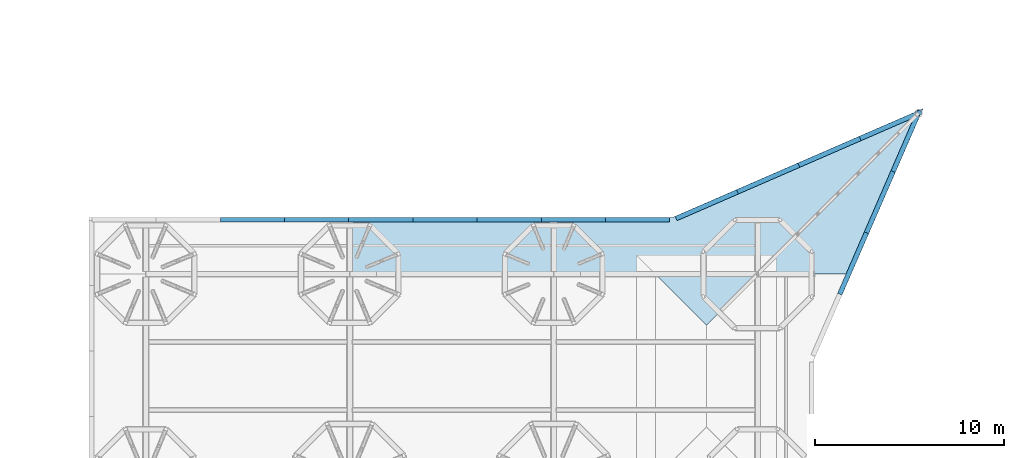
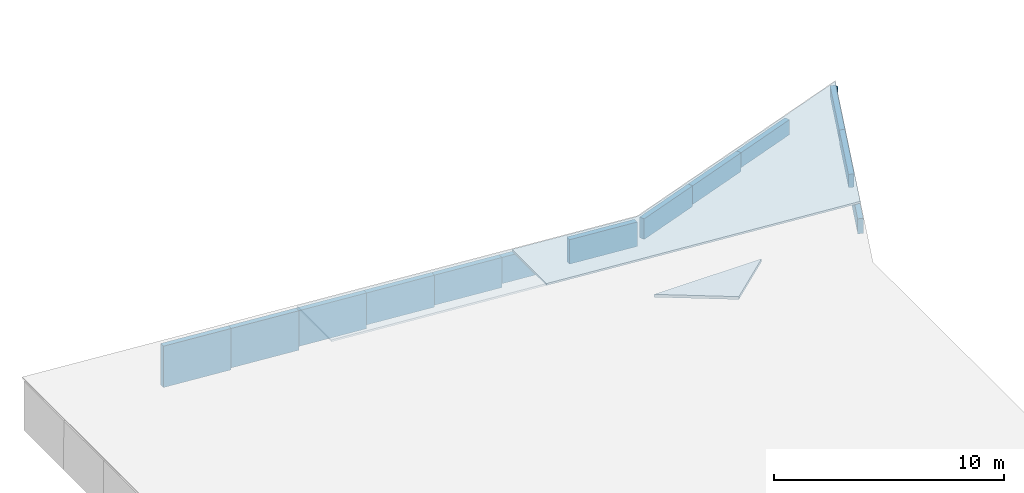
# One storey, part 55 of 95: 14 plates, 3 slabs.
"""IFC4 building model written with IfcOpenShell, lengths in metres."""

from ifc_helpers import new_model, si_unit, direction, frame, origin, place, context, subcontext, project, spatial, polyline, outline, extrude, material, layer, layer_set, type_object, element, save


model = new_model("IFC4")

# Units and contexts
model_context = context("Model", 3, precision=1e-05, world=origin(), true_north=direction((0.0, 1.0)))
body_context = subcontext(model_context, "Body", "Model", "MODEL_VIEW")
ifc_project = project(units=[si_unit("LENGTHUNIT", "METRE"), si_unit("AREAUNIT", "SQUARE_METRE"), si_unit("VOLUMEUNIT", "CUBIC_METRE"), si_unit("PLANEANGLEUNIT", "RADIAN"), si_unit("MASSUNIT", "GRAM", prefix="KILO")], contexts=[model_context])

# Site, building, storey
site_placement = place(None, origin())
site = spatial("IfcSite", under=ifc_project, at=site_placement, CompositionType="ELEMENT")
building_placement = place(site_placement, origin())
building = spatial("IfcBuilding", under=site, at=building_placement, Name="Magnolia Steps Interchange", CompositionType="ELEMENT")
storey_placement = place(building_placement, frame((0.0, 0.0, 4.800048828125)))
storey = spatial("IfcBuildingStorey", under=building, at=storey_placement, Name="L01", CompositionType="ELEMENT", Elevation=4.800048828125)

# Slabs
ifc_material_1 = material(Name="Concrete C30", Category="concrete")
ifc_layer_1 = layer(ifc_material_1, 0.10009765625)
ifc_layer_set_1 = layer_set([ifc_layer_1], Name="Composite roof deck 100")
slab_type_1 = type_object("IfcSlabType", Name="Composite roof deck 100", PredefinedType="ROOF", material=ifc_layer_set_1)
slab_1_placement = place(storey_placement, frame((161.199951171875, 77.800048828125, 3.3935546875), z_axis=(0.072709810174, 0.0, 0.997353138815), x_axis=(0.0, -1.0, 0.0)))
element("IfcSlab", 1, at=slab_1_placement, inside=storey, type_object=slab_type_1, Name="Composite roof deck panel", PredefinedType="ROOF", context=body_context, shape_type="SweptSolid", body=[
    extrude(outline(polyline([(0.0, 0.0), (3.0, 0.0), (3.0, 10.828710923), (0.0, 10.828710923), (0.0, 0.0)])), origin(), (0.0, 0.072709810174, -0.997353138815), 0.100341796875),
])
slab_2_placement = place(storey_placement, frame((172.0, 77.800048828125, 2.606201171875), z_axis=(0.072724587426, 1.7762056e-05, 0.997352061244), x_axis=(1.291738e-06, -0.999999999842, 1.7715023e-05)))
element("IfcSlab", 2, at=slab_2_placement, inside=storey, type_object=slab_type_1, Name="Composite roof deck panel", PredefinedType="ROOF", context=body_context, shape_type="SweptSolid", body=[
    extrude(outline(polyline([(0.0, 0.0), (3.0, 0.0), (2.999999999, 15.798180969), (-5.768066408, 19.620078195), (-2e-09, 6.316781645), (0.0, 0.0)])), origin(), (-1.7715023e-05, 0.072724587438, -0.997352061244), 0.100341796875),
])

# Plates
ifc_material_2 = material(Name="White painted steel", Category="steel")
ifc_layer_2 = layer(ifc_material_2, 0.25)
ifc_layer_set_2 = layer_set([ifc_layer_2], Name="Fascia plate 250")
plate_type = type_object("IfcPlateType", Name="Fascia plate 250", PredefinedType="SHEET", material=ifc_layer_set_2)
plate_1_placement = place(storey_placement, frame((187.27197265625, 73.685791015625, 0.59228515625), z_axis=(0.917116864568, -0.398609930599, 0.002603834211), x_axis=(0.398512189404, 0.916702053945, -0.029075405243)))
element("IfcPlate", 3, at=plate_1_placement, inside=storey, type_object=plate_type, Name="Sloping fascia plate", PredefinedType="SHEET", context=body_context, shape_type="SweptSolid", body=[
    extrude(outline(polyline([(0.0, 0.0), (3.543453406, 0.0), (3.520084731, 0.799710187), (-0.023368675, 0.799710187), (0.0, 0.0)])), origin(), (0.0, 0.0, -1.0), 0.25),
])
plate_2_placement = place(storey_placement, frame((188.68408203125, 76.93408203125, 0.58935546875), z_axis=(0.917120229189, -0.398599582859, 0.00297619832), x_axis=(0.398512189404, 0.916702053945, -0.029075405243)))
element("IfcPlate", 4, at=plate_2_placement, inside=storey, type_object=plate_type, Name="Sloping fascia plate", PredefinedType="SHEET", context=body_context, shape_type="SweptSolid", body=[
    extrude(outline(polyline([(0.0, 0.0), (3.543453406, 0.0), (3.522995111, 0.699655238), (-0.020458295, 0.699655238), (0.0, 0.0)])), origin(), (0.0, 0.0, -1.0), 0.25),
])
plate_3_placement = place(storey_placement, frame((190.09619140625, 80.182373046875, 0.58642578125), z_axis=(0.917105550919, -0.398630241767, 0.003367316841), x_axis=(0.398553742571, 0.91668393233, -0.029077181605)))
element("IfcPlate", 5, at=plate_3_placement, inside=storey, type_object=plate_type, Name="Sloping fascia plate", PredefinedType="SHEET", context=body_context, shape_type="SweptSolid", body=[
    extrude(outline(polyline([(0.0, 0.0), (3.543229603, 0.0), (3.52600163, 0.599609296), (-0.017549076, 0.599600381), (0.0, 0.0)])), origin(), (0.0, 0.0, -1.0), 0.25),
])
plate_4_placement = place(storey_placement, frame((191.430419921875, 83.50830078125, 0.38916015625), z_axis=(-0.398543717065, 0.917144796609, 0.002885765254), x_axis=(-0.91502849289, -0.397833999145, 0.066715562836)))
element("IfcPlate", 6, at=plate_4_placement, inside=storey, type_object=plate_type, Name="Sloping fascia plate", PredefinedType="SHEET", context=body_context, shape_type="SweptSolid", body=[
    extrude(outline(polyline([(0.0, 0.0), (3.549639897, 0.0), (3.596444366, 0.698387666), (0.046483946, 0.698408731), (0.0, 0.0)])), origin(), (0.0, 0.0, -1.0), 0.25),
])
plate_5_placement = place(storey_placement, frame((188.182373046875, 82.09619140625, 0.52587890625), z_axis=(-0.398519725677, 0.917156065359, 0.00260384733), x_axis=(-0.915046790505, -0.397792607011, 0.066711415768)))
element("IfcPlate", 7, at=plate_5_placement, inside=storey, type_object=plate_type, Name="Sloping fascia plate", PredefinedType="SHEET", context=body_context, shape_type="SweptSolid", body=[
    extrude(outline(polyline([(0.0, 0.0), (3.549863296, 0.0), (3.603342424, 0.798262151), (0.053479128, 0.798262151), (0.0, 0.0)])), origin(), (0.0, 0.0, -1.0), 0.25),
])
plate_6_placement = place(storey_placement, frame((184.93408203125, 80.68408203125, 0.562744140625), z_axis=(-0.398552138572, 0.917143311103, 0.002083203834), x_axis=(-0.915046790505, -0.397792607011, 0.066711415768)))
element("IfcPlate", 8, at=plate_6_placement, inside=storey, type_object=plate_type, Name="Sloping fascia plate", PredefinedType="SHEET", context=body_context, shape_type="SweptSolid", body=[
    extrude(outline(polyline([(0.0, 0.0), (3.549863296, 0.0), (3.61668145, 0.99776735), (0.066818154, 0.99776735), (0.0, 0.0)])), origin(), (0.0, 0.0, -1.0), 0.25),
])
plate_7_placement = place(storey_placement, frame((181.685791015625, 79.27197265625, 0.69970703125), z_axis=(-0.39857373802, 0.917134242256, 0.001938308995), x_axis=(-0.915041327785, -0.397805177186, 0.066711389208)))
element("IfcPlate", 9, at=plate_7_placement, inside=storey, type_object=plate_type, Name="Sloping fascia plate", PredefinedType="SHEET", context=body_context, shape_type="SweptSolid", body=[
    extrude(outline(polyline([(0.0, 0.0), (3.549863296, 0.0), (3.62311942, 1.097413351), (0.073479523, 1.097398225), (0.0, 0.0)])), origin(), (0.0, 0.0, -1.0), 0.25),
])
plate_8_placement = place(storey_placement, frame((178.14990234375, 77.800048828125, 0.757568359375), z_axis=(0.000109563072, 0.999998865264, 0.001502486792), x_axis=(-0.997354406024, 5.3803e-08, 0.072692425912)))
element("IfcPlate", 10, at=plate_8_placement, inside=storey, type_object=plate_type, Name="Sloping fascia plate", PredefinedType="SHEET", context=body_context, shape_type="SweptSolid", body=[
    extrude(outline(polyline([(0.0, 0.0), (3.408920964, 0.0), (3.503424668, 1.296610898), (0.094485956, 1.296367403), (0.0, 0.0)])), origin(), (0.0, 0.0, -1.0), 0.25),
])
plate_9_placement = place(storey_placement, frame((174.75, 77.800048828125, 0.9052734375), z_axis=(0.000101729648, 0.999999021724, 0.001395063593), x_axis=(-0.997349211193, -4.9956e-08, 0.072763664914)))
element("IfcPlate", 11, at=plate_9_placement, inside=storey, type_object=plate_type, Name="Sloping fascia plate", PredefinedType="SHEET", context=body_context, shape_type="SweptSolid", body=[
    extrude(outline(polyline([(0.0, 0.0), (3.40893872, 0.0), (3.510800746, 1.396192864), (0.10187979, 1.396436358), (0.0, 0.0)])), origin(), (0.0, 0.0, -1.0), 0.25),
])
plate_10_placement = place(storey_placement, frame((171.35009765625, 77.800048828125, 0.953369140625), z_axis=(8.9009981e-05, 0.999999250959, 0.001220720837), x_axis=(-0.997354784429, 4.371e-08, 0.07268723393)))
element("IfcPlate", 12, at=plate_10_placement, inside=storey, type_object=plate_type, Name="Sloping fascia plate", PredefinedType="SHEET", context=body_context, shape_type="SweptSolid", body=[
    extrude(outline(polyline([(0.0, 0.0), (3.409164459, 0.0), (3.525471132, 1.595866248), (0.116288927, 1.595622754), (0.0, 0.0)])), origin(), (0.0, 0.0, -1.0), 0.25),
])
plate_11_placement = place(storey_placement, frame((167.949951171875, 77.800048828125, 1.10107421875), z_axis=(8.3775235e-05, 0.999999336566, 0.0011488468), x_axis=(-0.997349211192, -4.1139e-08, 0.072763664937)))
element("IfcPlate", 13, at=plate_11_placement, inside=storey, type_object=plate_type, Name="Sloping fascia plate", PredefinedType="SHEET", context=body_context, shape_type="SweptSolid", body=[
    extrude(outline(polyline([(0.0, 0.0), (3.40893872, 0.0), (3.532633398, 1.695446085), (0.123712442, 1.695689579), (0.0, 0.0)])), origin(), (0.0, 0.0, -1.0), 0.25),
])
plate_12_placement = place(storey_placement, frame((164.550048828125, 77.800048828125, 1.149169921875), z_axis=(7.4953683e-05, 0.999999468854, 0.001027946772), x_axis=(-0.99735478443, 3.6807e-08, 0.072687233914)))
element("IfcPlate", 14, at=plate_12_placement, inside=storey, type_object=plate_type, Name="Sloping fascia plate", PredefinedType="SHEET", context=body_context, shape_type="SweptSolid", body=[
    extrude(outline(polyline([(0.0, 0.0), (3.409164459, 0.0), (3.547280851, 1.895121194), (0.138098646, 1.894877699), (0.0, 0.0)])), origin(), (0.0, 0.0, -1.0), 0.25),
])
plate_13_placement = place(storey_placement, frame((161.14990234375, 77.800048828125, 1.197021484375), z_axis=(6.7821773e-05, 0.999999565185, 0.000930069932), x_axis=(-0.997349211191, -3.3305e-08, 0.072763664953)))
element("IfcPlate", 15, at=plate_13_placement, inside=storey, type_object=plate_type, Name="Sloping fascia plate", PredefinedType="SHEET", context=body_context, shape_type="SweptSolid", body=[
    extrude(outline(polyline([(0.0, 0.0), (3.40893872, 0.0), (3.561731758, 2.094288158), (0.152810802, 2.094531652), (0.0, 0.0)])), origin(), (0.0, 0.0, -1.0), 0.25),
])
plate_14_placement = place(storey_placement, frame((157.75, 77.800048828125, 1.344970703125), z_axis=(6.473606e-05, 0.999999603851, 0.000887754184), x_axis=(-0.997354406028, 3.179e-08, 0.072692425859)))
element("IfcPlate", 16, at=plate_14_placement, inside=storey, type_object=plate_type, Name="Sloping fascia plate", PredefinedType="SHEET", context=body_context, shape_type="SweptSolid", body=[
    extrude(outline(polyline([(0.0, 0.0), (3.408920964, 0.0), (3.568858499, 2.194375358), (0.159919787, 2.194131864), (0.0, 0.0)])), origin(), (0.0, 0.0, -1.0), 0.25),
])

# Slab
ifc_material_3 = material(Name="Concrete C40", Category="concrete")
ifc_layer_3 = layer(ifc_material_3, 0.14990234375)
ifc_layer_set_3 = layer_set([ifc_layer_3], Name="Pavilion roof slab 150")
slab_type_2 = type_object("IfcSlabType", Name="Pavilion roof slab 150", PredefinedType="ROOF", material=ifc_layer_set_3)
slab_3_placement = place(storey_placement, frame((182.800048828125, 74.800048828125, 0.1435546875), z_axis=(0.0, 0.206077371051, 0.978535700494), x_axis=(-1.0, 0.0, 0.0)))
element("IfcSlab", 17, at=slab_3_placement, inside=storey, type_object=slab_type_2, Name="Pavilion roof slab BE-E 4", PredefinedType="ROOF", context=body_context, shape_type="SweptSolid", body=[
    extrude(outline(polyline([(0.0, 0.0), (5.400146484, 0.0), (2.699951172, 2.759174929), (0.0, 0.0)])), origin(), (0.0, -0.206077371051, -0.978535700494), 0.1533203125),
])

save(model, "model.ifc")
